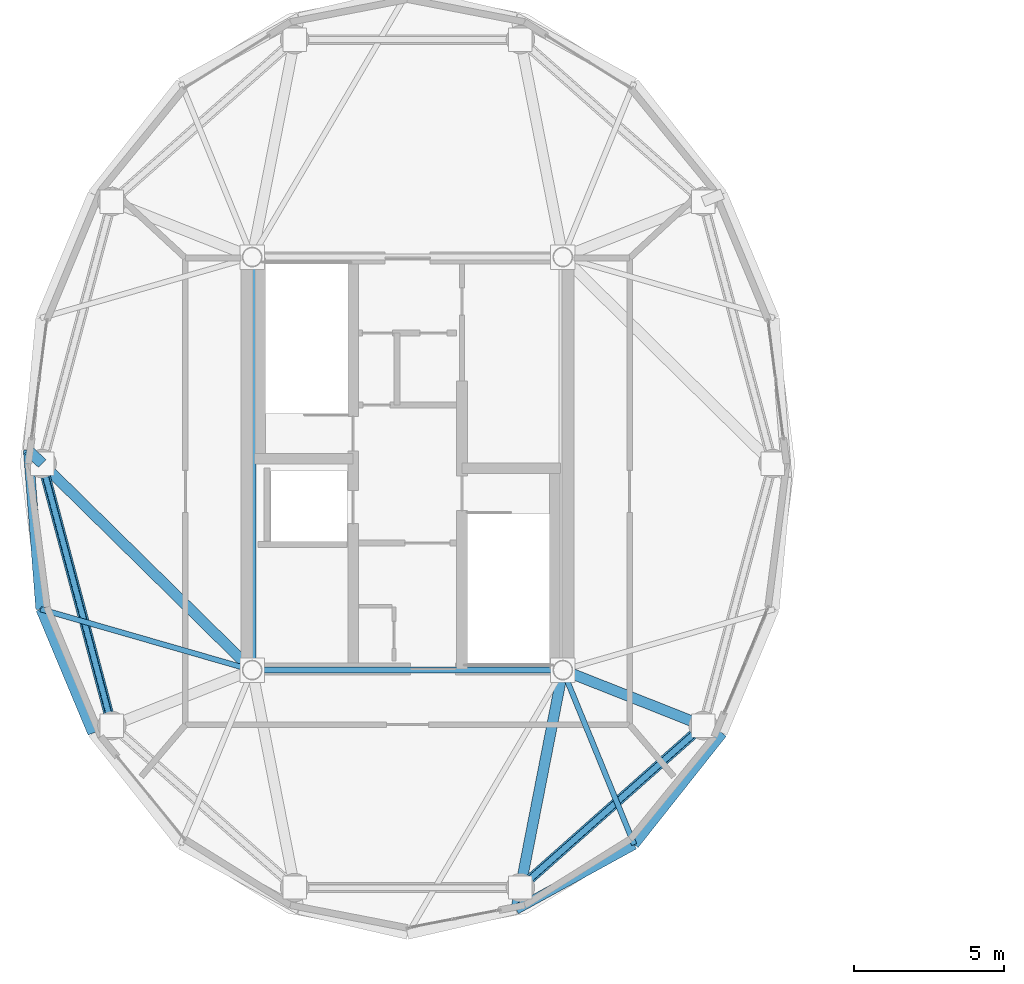
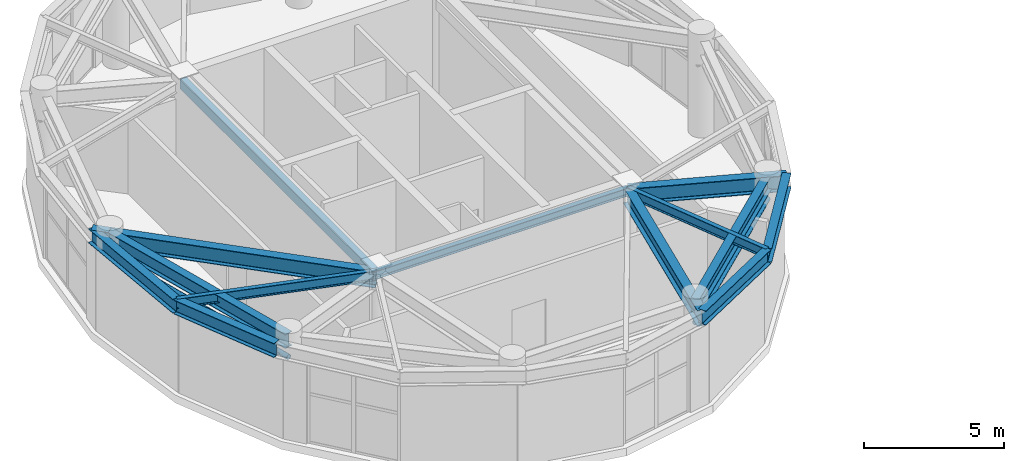
# One storey, part 4 of 26: 14 beams, 2 members.
"""IFC4 building model written with IfcOpenShell, lengths in metres."""

from ifc_helpers import new_model, si_unit, direction, frame, origin, origin_2d, place, context, subcontext, project, spatial, hollow_rectangle, hollow_circle, i_section, extrude, material, material_profile, profile_set, type_object, element, save


model = new_model("IFC4")

# Units and contexts
model_context = context("Model", 3, precision=1e-05, world=origin(), true_north=direction((0.0, 1.0)))
body_context = subcontext(model_context, "Body", "Model", "MODEL_VIEW")
ifc_project = project(units=[si_unit("LENGTHUNIT", "METRE"), si_unit("AREAUNIT", "SQUARE_METRE"), si_unit("VOLUMEUNIT", "CUBIC_METRE"), si_unit("PLANEANGLEUNIT", "RADIAN"), si_unit("MASSUNIT", "GRAM", prefix="KILO")], contexts=[model_context])

# Site, building, storey
site_placement = place(None, origin())
site = spatial("IfcSite", under=ifc_project, at=site_placement, CompositionType="ELEMENT")
building_placement = place(site_placement, origin())
building = spatial("IfcBuilding", under=site, at=building_placement, Name="Cununo Teusaquillo Station Towers", CompositionType="ELEMENT")
storey_placement = place(building_placement, frame((0.0, 0.0, 240.330078125)))
storey = spatial("IfcBuildingStorey", under=building, at=storey_placement, Name="L76", CompositionType="ELEMENT", Elevation=240.330078125)

# Beams
ifc_material_1 = material(Name="Steel EN 10025-2 S355J2", Category="steel")
ifc_material_profile_1 = material_profile(ifc_material_1, hollow_rectangle(XDim=0.25, YDim=0.449951171875, WallThickness=0.01611328125, at=origin_2d()), Name="RHS 450x250x16")
ifc_profile_set_1 = profile_set([ifc_material_profile_1], Name="Steel EN 10025-2 S355J2")
beam_type_1 = type_object("IfcBeamType", Name="BM-COUP-1", PredefinedType="USERDEFINED", material=ifc_profile_set_1)
beam_1_placement = place(storey_placement, frame((11.324951171875, 17.6201171875, 3.974853515625), z_axis=(0.0, 1.0, 0.0), x_axis=(-1.0, 0.0, 0.0)))
element("IfcBeam", 1, at=beam_1_placement, inside=storey, type_object=beam_type_1, Name="L76 Tower A Core Beam 1", ObjectType="COUPLING BEAM", PredefinedType="USERDEFINED", context=body_context, shape_type="SweptSolid", body=[
    extrude(hollow_rectangle(XDim=0.25, YDim=0.449951171875, WallThickness=0.01611328125, at=origin_2d()), origin(), (0.0, 0.0, 1.0), 13.759765625),
])
ifc_material_2 = material(Name="Steel ASTM A572 Grade 50", Category="steel")
ifc_material_profile_2 = material_profile(ifc_material_2, i_section(OverallWidth=0.180908203125, OverallDepth=0.4169921875, WebThickness=0.010986328125, FlangeThickness=0.018310546875, FilletRadius=0.012939453125, at=origin_2d()), Name="W16X57")
ifc_profile_set_2 = profile_set([ifc_material_profile_2], Name="Steel ASTM A572 Grade 50")
beam_type_2 = type_object("IfcBeamType", Name="BM-JOIST-1", PredefinedType="JOIST", material=ifc_profile_set_2)
beam_2_placement = place(storey_placement, frame((11.324951171875, 17.6201171875, 3.991455078125), z_axis=(-0.960861603375, 0.277028841748, 0.0), x_axis=(-0.277028841748, -0.960861603375, 0.0)))
element("IfcBeam", 2, at=beam_2_placement, inside=storey, type_object=beam_type_2, Name="L76 Tower A Radial Spandrel Joist V11", PredefinedType="JOIST", context=body_context, shape_type="SweptSolid", body=[
    extrude(i_section(OverallWidth=0.180908203125, OverallDepth=0.4169921875, WebThickness=0.010986328125, FlangeThickness=0.018310546875, FilletRadius=0.012939453125, at=origin_2d()), origin(), (0.0, 0.0, 1.0), 7.333251953125),
])
beam_3_placement = place(storey_placement, frame((21.675048828125, 17.6201171875, 3.991455078125), z_axis=(0.378576847217, -0.925569862707, 0.0), x_axis=(0.925569862707, 0.378576847217, 0.0)))
element("IfcBeam", 3, at=beam_3_placement, inside=storey, type_object=beam_type_2, Name="L76 Tower A Radial Spandrel Joist V17", PredefinedType="JOIST", context=body_context, shape_type="SweptSolid", body=[
    extrude(i_section(OverallWidth=0.180908203125, OverallDepth=0.4169921875, WebThickness=0.010986328125, FlangeThickness=0.018310546875, FilletRadius=0.012939453125, at=origin_2d()), origin(), (0.0, 0.0, 1.0), 6.28125),
])
ifc_material_3 = material(Name="Steel ASTM A572 Grade 50", Category="steel")
ifc_material_profile_3 = material_profile(ifc_material_3, i_section(OverallWidth=0.2041015625, OverallDepth=0.35009765625, WebThickness=0.008544921875, FlangeThickness=0.01513671875, FilletRadius=0.011962890625, at=origin_2d()), Name="W14X48")
ifc_profile_set_3 = profile_set([ifc_material_profile_3], Name="Steel ASTM A572 Grade 50")
beam_type_3 = type_object("IfcBeamType", Name="BM-LINTEL-1", PredefinedType="LINTEL", material=ifc_profile_set_3)
beam_4_placement = place(storey_placement, frame((11.324951171875, 17.6201171875, 4.02490234375), z_axis=(1.0, 0.0, 0.0), x_axis=(0.0, 1.0, 0.0)))
element("IfcBeam", 4, at=beam_4_placement, inside=storey, type_object=beam_type_3, Name="L76 Tower A Core Beam 3", PredefinedType="LINTEL", context=body_context, shape_type="SweptSolid", body=[
    extrude(i_section(OverallWidth=0.2041015625, OverallDepth=0.35009765625, WebThickness=0.008544921875, FlangeThickness=0.01513671875, FilletRadius=0.011962890625, at=origin_2d()), origin(), (0.0, 0.0, 1.0), 10.35009765625),
])
ifc_material_4 = material(Name="Steel ASTM A572 Grade 50", Category="steel")
ifc_material_profile_4 = material_profile(ifc_material_4, i_section(OverallWidth=0.35498046875, OverallDepth=0.696044921875, WebThickness=0.015380859375, FlangeThickness=0.02490234375, FilletRadius=0.01806640625, at=origin_2d()), Name="W27X146")
ifc_profile_set_4 = profile_set([ifc_material_profile_4], Name="Steel ASTM A572 Grade 50")
beam_type_4 = type_object("IfcBeamType", Name="BM-PLNT-G1", PredefinedType="BEAM", material=ifc_profile_set_4)
beam_5_placement = place(storey_placement, frame((11.324951171875, 17.6201171875, 3.851806640625), z_axis=(-0.713052701438, 0.701110437073, 0.0), x_axis=(-0.701110437073, -0.713052701438, 0.0)))
element("IfcBeam", 5, at=beam_5_placement, inside=storey, type_object=beam_type_4, Name="L76 Tower A Radial Girder 06A", PredefinedType="BEAM", context=body_context, shape_type="SweptSolid", body=[
    extrude(i_section(OverallWidth=0.35498046875, OverallDepth=0.696044921875, WebThickness=0.015380859375, FlangeThickness=0.02490234375, FilletRadius=0.01806640625, at=origin_2d()), origin(), (0.0, 0.0, 1.0), 9.812744140625),
])
beam_6_placement = place(storey_placement, frame((4.327880859375, 24.5, 3.851806640625), z_axis=(-0.712904743691, 0.701260883283, 0.0), x_axis=(-0.701260883283, -0.712904743691, 0.0)))
element("IfcBeam", 6, at=beam_6_placement, inside=storey, type_object=beam_type_4, Name="L76 Tower A Perimeter Overhang Girder 06B", PredefinedType="BEAM", context=body_context, shape_type="SweptSolid", body=[
    extrude(i_section(OverallWidth=0.35498046875, OverallDepth=0.696044921875, WebThickness=0.015380859375, FlangeThickness=0.02490234375, FilletRadius=0.01806640625, at=origin_2d()), origin(), (0.0, 0.0, 1.0), 0.64990234375),
])
beam_7_placement = place(storey_placement, frame((21.675048828125, 17.6201171875, 3.851806640625), z_axis=(-0.191548487699, -0.981483151593, 0.0), x_axis=(0.981483151593, -0.191548487699, 0.0)))
element("IfcBeam", 7, at=beam_7_placement, inside=storey, type_object=beam_type_4, Name="L76 Tower A Continuous Overhanging Radial Girder 09", PredefinedType="BEAM", context=body_context, shape_type="SweptSolid", body=[
    extrude(i_section(OverallWidth=0.35498046875, OverallDepth=0.696044921875, WebThickness=0.015380859375, FlangeThickness=0.02490234375, FilletRadius=0.01806640625, at=origin_2d()), origin(), (0.0, 0.0, 1.0), 8.1240234375),
])
beam_8_placement = place(storey_placement, frame((21.675048828125, 17.6201171875, 3.851806640625), z_axis=(0.929851670487, -0.36793460138, 0.0), x_axis=(0.36793460138, 0.929851670487, 0.0)))
element("IfcBeam", 8, at=beam_8_placement, inside=storey, type_object=beam_type_4, Name="L76 Tower A Continuous Overhanging Radial Girder 10", PredefinedType="BEAM", context=body_context, shape_type="SweptSolid", body=[
    extrude(i_section(OverallWidth=0.35498046875, OverallDepth=0.696044921875, WebThickness=0.015380859375, FlangeThickness=0.02490234375, FilletRadius=0.01806640625, at=origin_2d()), origin(), (0.0, 0.0, 1.0), 5.71630859375),
])
ifc_material_5 = material(Name="Steel ASTM A572 Grade 50", Category="steel")
ifc_material_profile_5 = material_profile(ifc_material_5, i_section(OverallWidth=0.324951171875, OverallDepth=0.615966796875, WebThickness=0.013916015625, FlangeThickness=0.021484375, FilletRadius=0.01611328125, at=origin_2d()), Name="W24X117")
ifc_profile_set_5 = profile_set([ifc_material_profile_5], Name="Steel ASTM A572 Grade 50")
beam_type_5 = type_object("IfcBeamType", Name="BM-PLNT-G2", PredefinedType="BEAM", material=ifc_profile_set_5)
beam_9_placement = place(storey_placement, frame((4.327880859375, 24.5, 3.891845703125), z_axis=(0.257363196347, -0.966314744359, 0.0), x_axis=(0.966314744359, 0.257363196347, 0.0)))
element("IfcBeam", 9, at=beam_9_placement, inside=storey, type_object=beam_type_5, Name="L76 Tower A Structural Column Ring Girder 06", PredefinedType="BEAM", context=body_context, shape_type="SweptSolid", body=[
    extrude(i_section(OverallWidth=0.324951171875, OverallDepth=0.615966796875, WebThickness=0.013916015625, FlangeThickness=0.021484375, FilletRadius=0.01611328125, at=origin_2d()), origin(), (0.0, 0.0, 1.0), 9.03271484375),
])
beam_10_placement = place(storey_placement, frame((20.261474609375, 10.376708984375, 3.891845703125), z_axis=(0.74832120039, 0.66333655187, 0.0), x_axis=(-0.66333655187, 0.74832120039, 0.0)))
element("IfcBeam", 10, at=beam_10_placement, inside=storey, type_object=beam_type_5, Name="L76 Tower A Structural Column Ring Girder 09", PredefinedType="BEAM", context=body_context, shape_type="SweptSolid", body=[
    extrude(i_section(OverallWidth=0.324951171875, OverallDepth=0.615966796875, WebThickness=0.013916015625, FlangeThickness=0.021484375, FilletRadius=0.01611328125, at=origin_2d()), origin(), (0.0, 0.0, 1.0), 8.1328125),
])
beam_11_placement = place(storey_placement, frame((3.864501953125, 24.955810546875, 3.891845703125), z_axis=(0.077871988965, -0.996963366095, 0.0), x_axis=(0.996963366095, 0.077871988965, 0.0)))
element("IfcBeam", 11, at=beam_11_placement, inside=storey, type_object=beam_type_5, Name="L76 Tower A Spandrel Ring Beam 11", PredefinedType="BEAM", context=body_context, shape_type="SweptSolid", body=[
    extrude(i_section(OverallWidth=0.324951171875, OverallDepth=0.615966796875, WebThickness=0.013916015625, FlangeThickness=0.021484375, FilletRadius=0.01611328125, at=origin_2d()), origin(), (0.0, 0.0, 1.0), 5.3203125),
])
beam_12_placement = place(storey_placement, frame((4.27880859375, 19.651611328125, 3.891845703125), z_axis=(0.386115454066, -0.922450462698, 0.0), x_axis=(0.922450462698, 0.386115454066, 0.0)))
element("IfcBeam", 12, at=beam_12_placement, inside=storey, type_object=beam_type_5, Name="L76 Tower A Spandrel Ring Beam 12", PredefinedType="BEAM", context=body_context, shape_type="SweptSolid", body=[
    extrude(i_section(OverallWidth=0.324951171875, OverallDepth=0.615966796875, WebThickness=0.013916015625, FlangeThickness=0.021484375, FilletRadius=0.01611328125, at=origin_2d()), origin(), (0.0, 0.0, 1.0), 4.482421875),
])
beam_13_placement = place(storey_placement, frame((20.118896484375, 9.646484375, 3.891845703125), z_axis=(0.876576300909, 0.481262910149, 0.0), x_axis=(-0.481262910149, 0.876576300909, 0.0)))
element("IfcBeam", 13, at=beam_13_placement, inside=storey, type_object=beam_type_5, Name="L76 Tower A Spandrel Ring Beam 17", PredefinedType="BEAM", context=body_context, shape_type="SweptSolid", body=[
    extrude(i_section(OverallWidth=0.324951171875, OverallDepth=0.615966796875, WebThickness=0.013916015625, FlangeThickness=0.021484375, FilletRadius=0.01611328125, at=origin_2d()), origin(), (0.0, 0.0, 1.0), 4.488037109375),
])
beam_14_placement = place(storey_placement, frame((24.052978515625, 11.806396484375, 3.891845703125), z_axis=(0.620710872531, 0.784039547932, 0.0), x_axis=(-0.784039547932, 0.620710872531, 0.0)))
element("IfcBeam", 14, at=beam_14_placement, inside=storey, type_object=beam_type_5, Name="L76 Tower A Spandrel Ring Beam 18", PredefinedType="BEAM", context=body_context, shape_type="SweptSolid", body=[
    extrude(i_section(OverallWidth=0.324951171875, OverallDepth=0.615966796875, WebThickness=0.013916015625, FlangeThickness=0.021484375, FilletRadius=0.01611328125, at=origin_2d()), origin(), (0.0, 0.0, 1.0), 4.732421875),
])

# Members
ifc_material_6 = material(Name="Steel EN 10025-2 S355J2", Category="steel")
ifc_material_profile_6 = material_profile(ifc_material_6, hollow_circle(Radius=0.109619140625, WallThickness=0.010009765625, at=origin_2d()), Name="CHS 219x10")
ifc_profile_set_6 = profile_set([ifc_material_profile_6], Name="Steel EN 10025-2 S355J2")
member_type = type_object("IfcMemberType", Name="MBR-DRUM-COL", PredefinedType="COLLAR", material=ifc_profile_set_6)
member_1_placement = place(storey_placement, frame((4.327880859375, 24.5, 3.14990234375), z_axis=(0.257363196347, -0.966314744359, 0.0), x_axis=(0.966314744359, 0.257363196347, 0.0)))
element("IfcMember", 15, at=member_1_placement, inside=storey, type_object=member_type, Name="L76 Tower A Crown Drum Collar 06", PredefinedType="COLLAR", context=body_context, shape_type="SweptSolid", body=[
    extrude(hollow_circle(Radius=0.109619140625, WallThickness=0.010009765625, at=origin_2d()), origin(), (0.0, 0.0, 1.0), 9.03271484375),
])
member_2_placement = place(storey_placement, frame((20.261474609375, 10.376708984375, 3.14990234375), z_axis=(0.74832120039, 0.66333655187, 0.0), x_axis=(-0.66333655187, 0.74832120039, 0.0)))
element("IfcMember", 16, at=member_2_placement, inside=storey, type_object=member_type, Name="L76 Tower A Crown Drum Collar 09", PredefinedType="COLLAR", context=body_context, shape_type="SweptSolid", body=[
    extrude(hollow_circle(Radius=0.109619140625, WallThickness=0.010009765625, at=origin_2d()), origin(), (0.0, 0.0, 1.0), 8.1328125),
])

save(model, "model.ifc")
